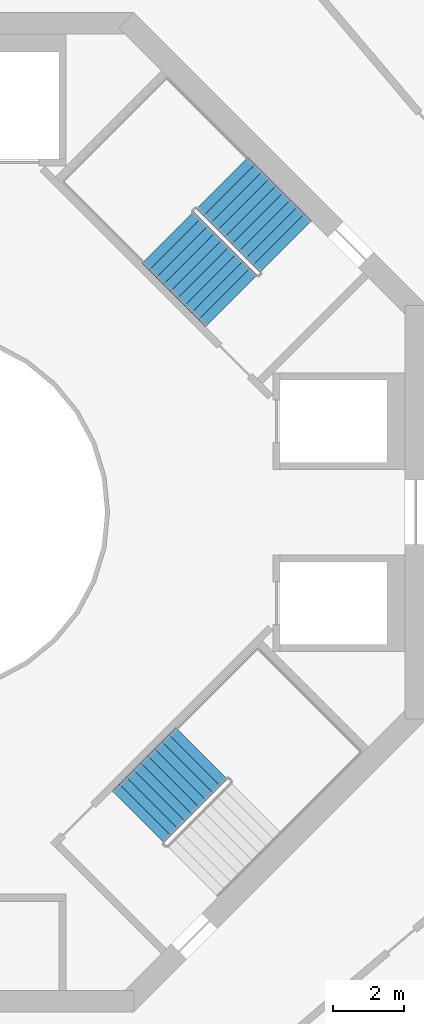
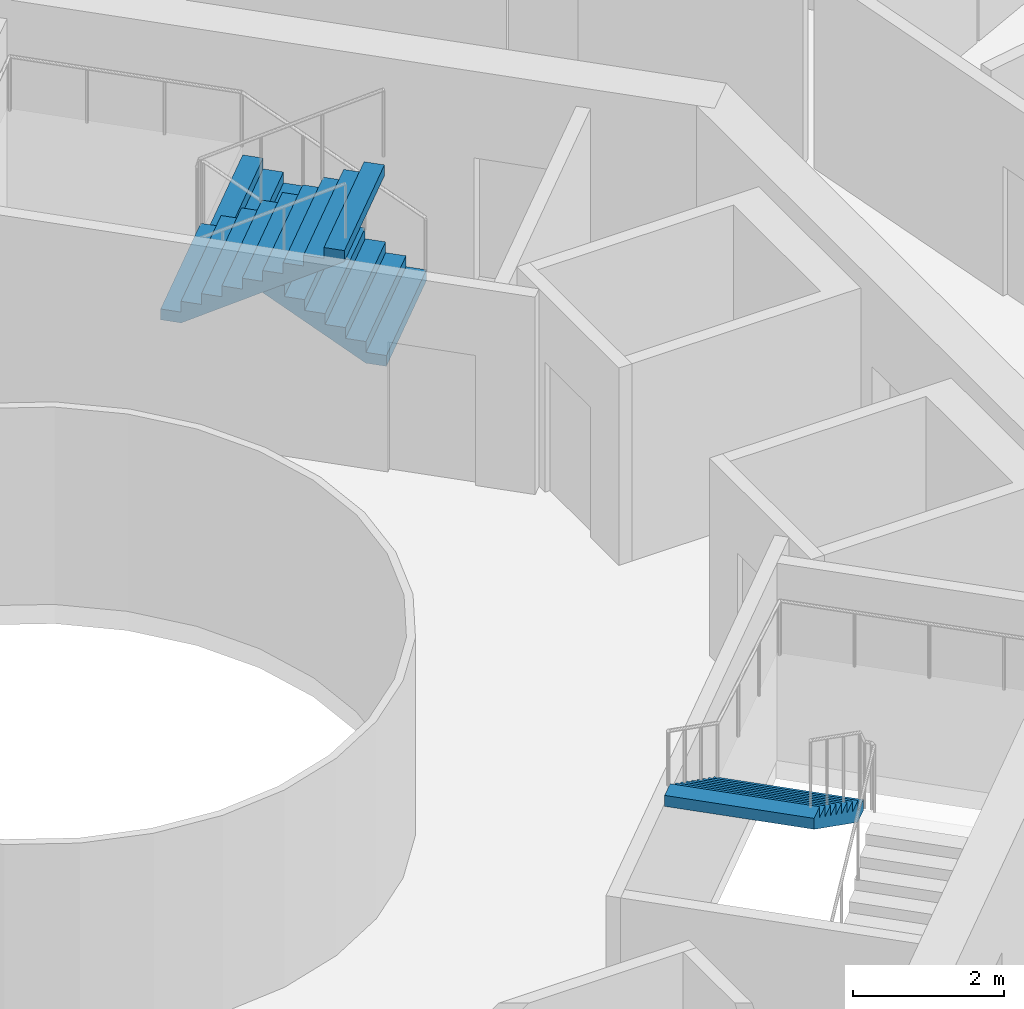
# One storey, part 20 of 21: 3 stair flights, 2 elements without a shape of their own.
"""IFC4 building model written with IfcOpenShell, lengths in metres."""

from ifc_helpers import new_model, si_unit, direction, frame, origin, place, context, subcontext, project, spatial, triangles, material, type_object, element, aggregate, save


model = new_model("IFC4")

# Units and contexts
model_context = context("Model", 3, precision=1e-05, world=origin(), true_north=direction((0.0, 1.0)))
body_context = subcontext(model_context, "Body", "Model", "MODEL_VIEW")
ifc_project = project(units=[si_unit("LENGTHUNIT", "METRE"), si_unit("AREAUNIT", "SQUARE_METRE"), si_unit("VOLUMEUNIT", "CUBIC_METRE"), si_unit("PLANEANGLEUNIT", "RADIAN"), si_unit("MASSUNIT", "GRAM", prefix="KILO")], contexts=[model_context])

# Site, building, storey
site_placement = place(None, origin())
site = spatial("IfcSite", under=ifc_project, at=site_placement, CompositionType="ELEMENT")
building_placement = place(site_placement, origin())
building = spatial("IfcBuilding", under=site, at=building_placement, Name="Verdalira Terraces Hotel", CompositionType="ELEMENT")
storey_placement = place(building_placement, frame((0.0, 0.0, 197.5)))
storey = spatial("IfcBuildingStorey", under=building, at=storey_placement, Name="L48", CompositionType="ELEMENT", Elevation=197.5)

# Stair, stair flights
ifc_material_1 = material(Name="Concrete C40", Category="concrete")
stair_type = type_object("IfcStairType", Name="Core stair 20 risers 2050 mm wide", PredefinedType="HALF_TURN_STAIR", material=ifc_material_1)
stair_1_placement = place(storey_placement, origin())
stair_1 = element("IfcStair", 1, at=stair_1_placement, inside=storey, type_object=stair_type, Name="L48 Exit stair ST1", PredefinedType="HALF_TURN_STAIR")
ifc_material_2 = material(Name="Concrete C40", Category="concrete")
stair_flight_type = type_object("IfcStairFlightType", Name="Core stair flight 20 risers 2050 mm wide", PredefinedType="STRAIGHT", material=ifc_material_2)
stair_flight_1_placement = place(storey_placement, frame((10.058594, 7.442383, 0.0), z_axis=(0.0, 0.0, 1.0), x_axis=(-0.707106781, 0.707106781, 0.0)))
stair_flight_1 = element("IfcStairFlight", 2, at=stair_flight_1_placement, type_object=stair_flight_type, Name="ST1 flight 1", NumberOfRisers=10, NumberOfTreads=9, PredefinedType="STRAIGHT", RiserHeight=0.175, TreadLength=0.28, context=body_context, shape_type="Tessellation", body=[
    triangles([(0.0, 1.025024, 0.0), (0.282715, 1.025024, 0.0), (2.52002, 1.025024, 1.398193), (0.0, -1.025024, 0.0), (0.282715, -1.025024, 0.0), (2.52002, -1.025024, 1.398193), (2.52002, 1.025024, 1.574951), (2.23999, 1.025024, 1.574951), (2.52002, -1.025024, 1.574951), (2.23999, -1.025024, 1.574951), (2.23999, 1.025024, 1.399902), (2.23999, -1.025024, 1.399902), (1.959961, 1.025024, 1.399902), (1.959961, -1.025024, 1.399902), (1.959961, 1.025024, 1.225098), (1.959961, -1.025024, 1.225098), (1.679932, 1.025024, 1.225098), (1.679932, 1.025024, 1.050049), (1.679932, -1.025024, 1.225098), (1.679932, -1.025024, 1.050049), (1.399902, 1.025024, 1.050049), (1.399902, 1.025024, 0.875), (1.399902, -1.025024, 1.050049), (1.399902, -1.025024, 0.875), (1.120117, 1.025024, 0.875), (1.120117, 1.025024, 0.699951), (1.120117, -1.025024, 0.875), (1.120117, -1.025024, 0.699951), (0.840088, 1.025024, 0.699951), (0.840088, 1.025024, 0.524902), (0.840088, -1.025024, 0.699951), (0.840088, -1.025024, 0.524902), (0.560059, 1.025024, 0.524902), (0.560059, 1.025024, 0.350098), (0.560059, -1.025024, 0.524902), (0.560059, -1.025024, 0.350098), (0.280029, 1.025024, 0.350098), (0.280029, 1.025024, 0.175049), (0.280029, -1.025024, 0.350098), (0.280029, -1.025024, 0.175049), (0.0, 1.025024, 0.175049), (0.0, -1.025024, 0.175049), (0.0, -0.96096, 0.0), (0.0, -0.96096, 0.175049), (0.0, -0.896896, 0.0), (0.0, -0.896896, 0.175049), (0.0, -0.832832, 0.0), (0.0, -0.832832, 0.175049), (0.0, -0.768768, 0.0), (0.0, -0.768768, 0.175049), (0.0, -0.704704, 0.0), (0.0, -0.704704, 0.175049), (0.0, -0.64064, 0.0), (0.0, -0.64064, 0.175049), (0.0, -0.576576, 0.0), (0.0, -0.576576, 0.175049), (0.0, -0.512512, 0.0), (0.0, -0.512512, 0.175049), (0.0, -0.448448, 0.0), (0.0, -0.448448, 0.175049), (0.0, -0.384384, 0.0), (0.0, -0.384384, 0.175049), (0.0, -0.32032, 0.0), (0.0, -0.32032, 0.175049), (0.0, -0.256256, 0.0), (0.0, -0.256256, 0.175049), (0.0, -0.192192, 0.0), (0.0, -0.192192, 0.175049), (0.0, -0.128128, 0.0), (0.0, -0.128128, 0.175049), (0.0, -0.064064, 0.0), (0.0, -0.064064, 0.175049), (0.0, 0.0, 0.0), (0.0, 0.0, 0.175049), (0.0, 0.064064, 0.0), (0.0, 0.064064, 0.175049), (0.0, 0.128128, 0.0), (0.0, 0.128128, 0.175049), (0.0, 0.192192, 0.0), (0.0, 0.192192, 0.175049), (0.0, 0.256256, 0.0), (0.0, 0.256256, 0.175049), (0.0, 0.32032, 0.0), (0.0, 0.32032, 0.175049), (0.0, 0.384384, 0.0), (0.0, 0.384384, 0.175049), (0.0, 0.448448, 0.0), (0.0, 0.448448, 0.175049), (0.0, 0.512512, 0.0), (0.0, 0.512512, 0.175049), (0.0, 0.576576, 0.0), (0.0, 0.576576, 0.175049), (0.0, 0.64064, 0.0), (0.0, 0.64064, 0.175049), (0.0, 0.704704, 0.0), (0.0, 0.704704, 0.175049), (0.0, 0.768768, 0.0), (0.0, 0.768768, 0.175049), (0.0, 0.832832, 0.0), (0.0, 0.832832, 0.175049), (0.0, 0.896896, 0.0), (0.0, 0.896896, 0.175049), (0.0, 0.96096, 0.0), (0.0, 0.96096, 0.175049), (2.52002, -0.96096, 1.574951), (2.52002, -0.896896, 1.574951), (2.52002, -0.832832, 1.574951), (2.52002, -0.768768, 1.574951), (2.52002, -0.704704, 1.574951), (2.52002, -0.64064, 1.574951), (2.52002, -0.576576, 1.574951), (2.52002, -0.512512, 1.574951), (2.52002, -0.448448, 1.574951), (2.52002, -0.384384, 1.574951), (2.52002, -0.32032, 1.574951), (2.52002, -0.256256, 1.574951), (2.52002, -0.192192, 1.574951), (2.52002, -0.128128, 1.574951), (2.52002, -0.064064, 1.574951), (2.52002, 0.0, 1.574951), (2.52002, 0.064064, 1.574951), (2.52002, 0.128128, 1.574951), (2.52002, 0.192192, 1.574951), (2.52002, 0.256256, 1.574951), (2.52002, 0.32032, 1.574951), (2.52002, 0.384384, 1.574951), (2.52002, 0.448448, 1.574951), (2.52002, 0.512512, 1.574951), (2.52002, 0.576576, 1.574951), (2.52002, 0.64064, 1.574951), (2.52002, 0.704704, 1.574951), (2.52002, 0.768768, 1.574951), (2.52002, 0.832832, 1.574951), (2.52002, 0.896896, 1.574951), (2.52002, 0.96096, 1.574951), (2.52002, -0.96096, 1.398193), (2.52002, -0.896896, 1.398193), (2.52002, -0.832832, 1.398193), (2.52002, -0.768768, 1.398193), (2.52002, -0.704704, 1.398193), (2.52002, -0.64064, 1.398193), (2.52002, -0.576576, 1.398193), (2.52002, -0.512512, 1.398193), (2.52002, -0.448448, 1.398193), (2.52002, -0.384384, 1.398193), (2.52002, -0.32032, 1.398193), (2.52002, -0.256256, 1.398193), (2.52002, -0.192192, 1.398193), (2.52002, -0.128128, 1.398193), (2.52002, -0.064064, 1.398193), (2.52002, 0.0, 1.398193), (2.52002, 0.064064, 1.398193), (2.52002, 0.128128, 1.398193), (2.52002, 0.192192, 1.398193), (2.52002, 0.256256, 1.398193), (2.52002, 0.32032, 1.398193), (2.52002, 0.384384, 1.398193), (2.52002, 0.448448, 1.398193), (2.52002, 0.512512, 1.398193), (2.52002, 0.576576, 1.398193), (2.52002, 0.64064, 1.398193), (2.52002, 0.704704, 1.398193), (2.52002, 0.768768, 1.398193), (2.52002, 0.832832, 1.398193), (2.52002, 0.896896, 1.398193), (2.52002, 0.96096, 1.398193)], [[1, 3, 2], [4, 5, 6], [3, 8, 7], [6, 9, 10], [3, 11, 8], [6, 10, 12], [3, 13, 11], [6, 12, 14], [3, 15, 13], [6, 14, 16], [15, 18, 17], [16, 19, 20], [3, 18, 15], [6, 16, 20], [18, 22, 21], [20, 23, 24], [3, 22, 18], [6, 20, 24], [22, 26, 25], [24, 27, 28], [3, 26, 22], [6, 24, 28], [26, 30, 29], [28, 31, 32], [3, 30, 26], [6, 28, 32], [1, 30, 3], [4, 6, 32], [30, 34, 33], [32, 35, 36], [34, 38, 37], [36, 39, 40], [30, 38, 34], [32, 36, 40], [1, 38, 30], [4, 32, 40], [38, 1, 41], [40, 42, 4], [4, 44, 43], [4, 42, 44], [43, 46, 45], [43, 44, 46], [45, 48, 47], [45, 46, 48], [47, 50, 49], [47, 48, 50], [49, 52, 51], [49, 50, 52], [51, 54, 53], [51, 52, 54], [53, 56, 55], [53, 54, 56], [55, 58, 57], [55, 56, 58], [57, 60, 59], [57, 58, 60], [59, 62, 61], [59, 60, 62], [61, 64, 63], [61, 62, 64], [63, 66, 65], [63, 64, 66], [65, 68, 67], [65, 66, 68], [67, 70, 69], [67, 68, 70], [69, 72, 71], [69, 70, 72], [71, 74, 73], [71, 72, 74], [73, 76, 75], [73, 74, 76], [75, 78, 77], [75, 76, 78], [77, 80, 79], [77, 78, 80], [79, 82, 81], [79, 80, 82], [81, 84, 83], [81, 82, 84], [83, 86, 85], [83, 84, 86], [85, 88, 87], [85, 86, 88], [87, 90, 89], [87, 88, 90], [89, 92, 91], [89, 90, 92], [91, 94, 93], [91, 92, 94], [93, 96, 95], [93, 94, 96], [95, 98, 97], [95, 96, 98], [97, 100, 99], [97, 98, 100], [99, 102, 101], [99, 100, 102], [101, 104, 103], [101, 102, 104], [103, 41, 1], [103, 104, 41], [42, 40, 44], [44, 40, 46], [46, 40, 48], [48, 40, 50], [50, 40, 52], [52, 40, 54], [54, 40, 56], [56, 40, 58], [58, 40, 60], [60, 40, 62], [62, 40, 64], [64, 40, 66], [66, 40, 68], [68, 40, 70], [70, 40, 72], [72, 40, 74], [74, 40, 76], [76, 40, 78], [78, 40, 80], [80, 40, 82], [82, 40, 84], [84, 40, 86], [86, 40, 88], [88, 40, 90], [90, 40, 92], [92, 40, 94], [94, 40, 96], [96, 40, 98], [98, 40, 100], [100, 40, 102], [102, 40, 104], [104, 40, 41], [41, 40, 38], [40, 37, 38], [40, 39, 37], [39, 34, 37], [39, 36, 34], [36, 33, 34], [36, 35, 33], [35, 30, 33], [35, 32, 30], [32, 29, 30], [32, 31, 29], [31, 26, 29], [31, 28, 26], [28, 25, 26], [28, 27, 25], [27, 22, 25], [27, 24, 22], [24, 21, 22], [24, 23, 21], [23, 18, 21], [23, 20, 18], [20, 17, 18], [20, 19, 17], [19, 15, 17], [19, 16, 15], [16, 13, 15], [16, 14, 13], [14, 11, 13], [14, 12, 11], [12, 8, 11], [12, 10, 8], [9, 105, 10], [105, 106, 10], [106, 107, 10], [107, 108, 10], [108, 109, 10], [109, 110, 10], [110, 111, 10], [111, 112, 10], [112, 113, 10], [113, 114, 10], [114, 115, 10], [115, 116, 10], [116, 117, 10], [117, 118, 10], [118, 119, 10], [119, 120, 10], [120, 121, 10], [121, 122, 10], [122, 123, 10], [123, 124, 10], [124, 125, 10], [125, 126, 10], [126, 127, 10], [127, 128, 10], [128, 129, 10], [129, 130, 10], [130, 131, 10], [131, 132, 10], [132, 133, 10], [133, 134, 10], [134, 135, 10], [135, 7, 10], [7, 8, 10], [9, 136, 105], [9, 6, 136], [105, 137, 106], [105, 136, 137], [106, 138, 107], [106, 137, 138], [107, 139, 108], [107, 138, 139], [108, 140, 109], [108, 139, 140], [109, 141, 110], [109, 140, 141], [110, 142, 111], [110, 141, 142], [111, 143, 112], [111, 142, 143], [112, 144, 113], [112, 143, 144], [113, 145, 114], [113, 144, 145], [114, 146, 115], [114, 145, 146], [115, 147, 116], [115, 146, 147], [116, 148, 117], [116, 147, 148], [117, 149, 118], [117, 148, 149], [118, 150, 119], [118, 149, 150], [119, 151, 120], [119, 150, 151], [120, 152, 121], [120, 151, 152], [121, 153, 122], [121, 152, 153], [122, 154, 123], [122, 153, 154], [123, 155, 124], [123, 154, 155], [124, 156, 125], [124, 155, 156], [125, 157, 126], [125, 156, 157], [126, 158, 127], [126, 157, 158], [127, 159, 128], [127, 158, 159], [128, 160, 129], [128, 159, 160], [129, 161, 130], [129, 160, 161], [130, 162, 131], [130, 161, 162], [131, 163, 132], [131, 162, 163], [132, 164, 133], [132, 163, 164], [133, 165, 134], [133, 164, 165], [134, 166, 135], [134, 165, 166], [135, 3, 7], [135, 166, 3], [6, 5, 136], [136, 5, 137], [137, 5, 138], [138, 5, 139], [139, 5, 140], [140, 5, 141], [141, 5, 142], [142, 5, 143], [143, 5, 144], [144, 5, 145], [145, 5, 146], [146, 5, 147], [147, 5, 148], [148, 5, 149], [149, 5, 150], [150, 5, 151], [151, 5, 152], [152, 5, 153], [153, 5, 154], [154, 5, 155], [155, 5, 156], [156, 5, 157], [157, 5, 158], [158, 5, 159], [159, 5, 160], [160, 5, 161], [161, 5, 162], [162, 5, 163], [163, 5, 164], [164, 5, 165], [165, 5, 166], [166, 5, 3], [3, 5, 2], [4, 43, 5], [43, 45, 5], [45, 47, 5], [47, 49, 5], [49, 51, 5], [51, 53, 5], [53, 55, 5], [55, 57, 5], [57, 59, 5], [59, 61, 5], [61, 63, 5], [63, 65, 5], [65, 67, 5], [67, 69, 5], [69, 71, 5], [71, 73, 5], [73, 75, 5], [75, 77, 5], [77, 79, 5], [79, 81, 5], [81, 83, 5], [83, 85, 5], [85, 87, 5], [87, 89, 5], [89, 91, 5], [91, 93, 5], [93, 95, 5], [95, 97, 5], [97, 99, 5], [99, 101, 5], [101, 103, 5], [103, 1, 5], [1, 2, 5]], closed=True),
])
stair_flight_2_placement = place(storey_placement, frame((6.756348, 7.703857, 1.75), z_axis=(0.0, 0.0, 1.0), x_axis=(0.707106781, -0.707106781, 0.0)))
stair_flight_2 = element("IfcStairFlight", 3, at=stair_flight_2_placement, type_object=stair_flight_type, Name="ST1 flight 2", NumberOfRisers=10, NumberOfTreads=9, PredefinedType="STRAIGHT", RiserHeight=0.175, TreadLength=0.28, context=body_context, shape_type="Tessellation", body=[
    triangles([(0.0, 1.025024, 0.0), (0.282715, 1.025024, 0.0), (2.52002, 1.025024, 1.398193), (0.0, -1.025024, 0.0), (0.282715, -1.025024, 0.0), (2.52002, -1.025024, 1.398193), (2.52002, 1.025024, 1.574951), (2.23999, 1.025024, 1.574951), (2.52002, -1.025024, 1.574951), (2.23999, -1.025024, 1.574951), (2.23999, 1.025024, 1.399902), (2.23999, -1.025024, 1.399902), (1.959961, 1.025024, 1.399902), (1.959961, -1.025024, 1.399902), (1.959961, 1.025024, 1.225098), (1.959961, -1.025024, 1.225098), (1.679932, 1.025024, 1.225098), (1.679932, 1.025024, 1.050049), (1.679932, -1.025024, 1.225098), (1.679932, -1.025024, 1.050049), (1.399902, 1.025024, 1.050049), (1.399902, 1.025024, 0.875), (1.399902, -1.025024, 1.050049), (1.399902, -1.025024, 0.875), (1.120117, 1.025024, 0.875), (1.120117, 1.025024, 0.699951), (1.120117, -1.025024, 0.875), (1.120117, -1.025024, 0.699951), (0.840088, 1.025024, 0.699951), (0.840088, 1.025024, 0.524902), (0.840088, -1.025024, 0.699951), (0.840088, -1.025024, 0.524902), (0.560059, 1.025024, 0.524902), (0.560059, 1.025024, 0.350098), (0.560059, -1.025024, 0.524902), (0.560059, -1.025024, 0.350098), (0.280029, 1.025024, 0.350098), (0.280029, 1.025024, 0.175049), (0.280029, -1.025024, 0.350098), (0.280029, -1.025024, 0.175049), (0.0, 1.025024, 0.175049), (0.0, -1.025024, 0.175049), (0.0, -0.96096, 0.0), (0.0, -0.96096, 0.175049), (0.0, -0.896896, 0.0), (0.0, -0.896896, 0.175049), (0.0, -0.832832, 0.0), (0.0, -0.832832, 0.175049), (0.0, -0.768768, 0.0), (0.0, -0.768768, 0.175049), (0.0, -0.704704, 0.0), (0.0, -0.704704, 0.175049), (0.0, -0.64064, 0.0), (0.0, -0.64064, 0.175049), (0.0, -0.576576, 0.0), (0.0, -0.576576, 0.175049), (0.0, -0.512512, 0.0), (0.0, -0.512512, 0.175049), (0.0, -0.448448, 0.0), (0.0, -0.448448, 0.175049), (0.0, -0.384384, 0.0), (0.0, -0.384384, 0.175049), (0.0, -0.32032, 0.0), (0.0, -0.32032, 0.175049), (0.0, -0.256256, 0.0), (0.0, -0.256256, 0.175049), (0.0, -0.192192, 0.0), (0.0, -0.192192, 0.175049), (0.0, -0.128128, 0.0), (0.0, -0.128128, 0.175049), (0.0, -0.064064, 0.0), (0.0, -0.064064, 0.175049), (0.0, 0.0, 0.0), (0.0, 0.0, 0.175049), (0.0, 0.064064, 0.0), (0.0, 0.064064, 0.175049), (0.0, 0.128128, 0.0), (0.0, 0.128128, 0.175049), (0.0, 0.192192, 0.0), (0.0, 0.192192, 0.175049), (0.0, 0.256256, 0.0), (0.0, 0.256256, 0.175049), (0.0, 0.32032, 0.0), (0.0, 0.32032, 0.175049), (0.0, 0.384384, 0.0), (0.0, 0.384384, 0.175049), (0.0, 0.448448, 0.0), (0.0, 0.448448, 0.175049), (0.0, 0.512512, 0.0), (0.0, 0.512512, 0.175049), (0.0, 0.576576, 0.0), (0.0, 0.576576, 0.175049), (0.0, 0.64064, 0.0), (0.0, 0.64064, 0.175049), (0.0, 0.704704, 0.0), (0.0, 0.704704, 0.175049), (0.0, 0.768768, 0.0), (0.0, 0.768768, 0.175049), (0.0, 0.832832, 0.0), (0.0, 0.832832, 0.175049), (0.0, 0.896896, 0.0), (0.0, 0.896896, 0.175049), (0.0, 0.96096, 0.0), (0.0, 0.96096, 0.175049), (2.52002, -0.96096, 1.574951), (2.52002, -0.896896, 1.574951), (2.52002, -0.832832, 1.574951), (2.52002, -0.768768, 1.574951), (2.52002, -0.704704, 1.574951), (2.52002, -0.64064, 1.574951), (2.52002, -0.576576, 1.574951), (2.52002, -0.512512, 1.574951), (2.52002, -0.448448, 1.574951), (2.52002, -0.384384, 1.574951), (2.52002, -0.32032, 1.574951), (2.52002, -0.256256, 1.574951), (2.52002, -0.192192, 1.574951), (2.52002, -0.128128, 1.574951), (2.52002, -0.064064, 1.574951), (2.52002, 0.0, 1.574951), (2.52002, 0.064064, 1.574951), (2.52002, 0.128128, 1.574951), (2.52002, 0.192192, 1.574951), (2.52002, 0.256256, 1.574951), (2.52002, 0.32032, 1.574951), (2.52002, 0.384384, 1.574951), (2.52002, 0.448448, 1.574951), (2.52002, 0.512512, 1.574951), (2.52002, 0.576576, 1.574951), (2.52002, 0.64064, 1.574951), (2.52002, 0.704704, 1.574951), (2.52002, 0.768768, 1.574951), (2.52002, 0.832832, 1.574951), (2.52002, 0.896896, 1.574951), (2.52002, 0.96096, 1.574951), (2.52002, -0.96096, 1.398193), (2.52002, -0.896896, 1.398193), (2.52002, -0.832832, 1.398193), (2.52002, -0.768768, 1.398193), (2.52002, -0.704704, 1.398193), (2.52002, -0.64064, 1.398193), (2.52002, -0.576576, 1.398193), (2.52002, -0.512512, 1.398193), (2.52002, -0.448448, 1.398193), (2.52002, -0.384384, 1.398193), (2.52002, -0.32032, 1.398193), (2.52002, -0.256256, 1.398193), (2.52002, -0.192192, 1.398193), (2.52002, -0.128128, 1.398193), (2.52002, -0.064064, 1.398193), (2.52002, 0.0, 1.398193), (2.52002, 0.064064, 1.398193), (2.52002, 0.128128, 1.398193), (2.52002, 0.192192, 1.398193), (2.52002, 0.256256, 1.398193), (2.52002, 0.32032, 1.398193), (2.52002, 0.384384, 1.398193), (2.52002, 0.448448, 1.398193), (2.52002, 0.512512, 1.398193), (2.52002, 0.576576, 1.398193), (2.52002, 0.64064, 1.398193), (2.52002, 0.704704, 1.398193), (2.52002, 0.768768, 1.398193), (2.52002, 0.832832, 1.398193), (2.52002, 0.896896, 1.398193), (2.52002, 0.96096, 1.398193)], [[1, 3, 2], [4, 5, 6], [3, 8, 7], [6, 9, 10], [3, 11, 8], [6, 10, 12], [3, 13, 11], [6, 12, 14], [3, 15, 13], [6, 14, 16], [15, 18, 17], [16, 19, 20], [3, 18, 15], [6, 16, 20], [18, 22, 21], [20, 23, 24], [3, 22, 18], [6, 20, 24], [22, 26, 25], [24, 27, 28], [3, 26, 22], [6, 24, 28], [26, 30, 29], [28, 31, 32], [3, 30, 26], [6, 28, 32], [1, 30, 3], [4, 6, 32], [30, 34, 33], [32, 35, 36], [34, 38, 37], [36, 39, 40], [30, 38, 34], [32, 36, 40], [1, 38, 30], [4, 32, 40], [38, 1, 41], [40, 42, 4], [4, 44, 43], [4, 42, 44], [43, 46, 45], [43, 44, 46], [45, 48, 47], [45, 46, 48], [47, 50, 49], [47, 48, 50], [49, 52, 51], [49, 50, 52], [51, 54, 53], [51, 52, 54], [53, 56, 55], [53, 54, 56], [55, 58, 57], [55, 56, 58], [57, 60, 59], [57, 58, 60], [59, 62, 61], [59, 60, 62], [61, 64, 63], [61, 62, 64], [63, 66, 65], [63, 64, 66], [65, 68, 67], [65, 66, 68], [67, 70, 69], [67, 68, 70], [69, 72, 71], [69, 70, 72], [71, 74, 73], [71, 72, 74], [73, 76, 75], [73, 74, 76], [75, 78, 77], [75, 76, 78], [77, 80, 79], [77, 78, 80], [79, 82, 81], [79, 80, 82], [81, 84, 83], [81, 82, 84], [83, 86, 85], [83, 84, 86], [85, 88, 87], [85, 86, 88], [87, 90, 89], [87, 88, 90], [89, 92, 91], [89, 90, 92], [91, 94, 93], [91, 92, 94], [93, 96, 95], [93, 94, 96], [95, 98, 97], [95, 96, 98], [97, 100, 99], [97, 98, 100], [99, 102, 101], [99, 100, 102], [101, 104, 103], [101, 102, 104], [103, 41, 1], [103, 104, 41], [42, 40, 44], [44, 40, 46], [46, 40, 48], [48, 40, 50], [50, 40, 52], [52, 40, 54], [54, 40, 56], [56, 40, 58], [58, 40, 60], [60, 40, 62], [62, 40, 64], [64, 40, 66], [66, 40, 68], [68, 40, 70], [70, 40, 72], [72, 40, 74], [74, 40, 76], [76, 40, 78], [78, 40, 80], [80, 40, 82], [82, 40, 84], [84, 40, 86], [86, 40, 88], [88, 40, 90], [90, 40, 92], [92, 40, 94], [94, 40, 96], [96, 40, 98], [98, 40, 100], [100, 40, 102], [102, 40, 104], [104, 40, 41], [41, 40, 38], [40, 37, 38], [40, 39, 37], [39, 34, 37], [39, 36, 34], [36, 33, 34], [36, 35, 33], [35, 30, 33], [35, 32, 30], [32, 29, 30], [32, 31, 29], [31, 26, 29], [31, 28, 26], [28, 25, 26], [28, 27, 25], [27, 22, 25], [27, 24, 22], [24, 21, 22], [24, 23, 21], [23, 18, 21], [23, 20, 18], [20, 17, 18], [20, 19, 17], [19, 15, 17], [19, 16, 15], [16, 13, 15], [16, 14, 13], [14, 11, 13], [14, 12, 11], [12, 8, 11], [12, 10, 8], [9, 105, 10], [105, 106, 10], [106, 107, 10], [107, 108, 10], [108, 109, 10], [109, 110, 10], [110, 111, 10], [111, 112, 10], [112, 113, 10], [113, 114, 10], [114, 115, 10], [115, 116, 10], [116, 117, 10], [117, 118, 10], [118, 119, 10], [119, 120, 10], [120, 121, 10], [121, 122, 10], [122, 123, 10], [123, 124, 10], [124, 125, 10], [125, 126, 10], [126, 127, 10], [127, 128, 10], [128, 129, 10], [129, 130, 10], [130, 131, 10], [131, 132, 10], [132, 133, 10], [133, 134, 10], [134, 135, 10], [135, 7, 10], [7, 8, 10], [9, 136, 105], [9, 6, 136], [105, 137, 106], [105, 136, 137], [106, 138, 107], [106, 137, 138], [107, 139, 108], [107, 138, 139], [108, 140, 109], [108, 139, 140], [109, 141, 110], [109, 140, 141], [110, 142, 111], [110, 141, 142], [111, 143, 112], [111, 142, 143], [112, 144, 113], [112, 143, 144], [113, 145, 114], [113, 144, 145], [114, 146, 115], [114, 145, 146], [115, 147, 116], [115, 146, 147], [116, 148, 117], [116, 147, 148], [117, 149, 118], [117, 148, 149], [118, 150, 119], [118, 149, 150], [119, 151, 120], [119, 150, 151], [120, 152, 121], [120, 151, 152], [121, 153, 122], [121, 152, 153], [122, 154, 123], [122, 153, 154], [123, 155, 124], [123, 154, 155], [124, 156, 125], [124, 155, 156], [125, 157, 126], [125, 156, 157], [126, 158, 127], [126, 157, 158], [127, 159, 128], [127, 158, 159], [128, 160, 129], [128, 159, 160], [129, 161, 130], [129, 160, 161], [130, 162, 131], [130, 161, 162], [131, 163, 132], [131, 162, 163], [132, 164, 133], [132, 163, 164], [133, 165, 134], [133, 164, 165], [134, 166, 135], [134, 165, 166], [135, 3, 7], [135, 166, 3], [6, 5, 136], [136, 5, 137], [137, 5, 138], [138, 5, 139], [139, 5, 140], [140, 5, 141], [141, 5, 142], [142, 5, 143], [143, 5, 144], [144, 5, 145], [145, 5, 146], [146, 5, 147], [147, 5, 148], [148, 5, 149], [149, 5, 150], [150, 5, 151], [151, 5, 152], [152, 5, 153], [153, 5, 154], [154, 5, 155], [155, 5, 156], [156, 5, 157], [157, 5, 158], [158, 5, 159], [159, 5, 160], [160, 5, 161], [161, 5, 162], [162, 5, 163], [163, 5, 164], [164, 5, 165], [165, 5, 166], [166, 5, 3], [3, 5, 2], [4, 43, 5], [43, 45, 5], [45, 47, 5], [47, 49, 5], [49, 51, 5], [51, 53, 5], [53, 55, 5], [55, 57, 5], [57, 59, 5], [59, 61, 5], [61, 63, 5], [63, 65, 5], [65, 67, 5], [67, 69, 5], [69, 71, 5], [71, 73, 5], [73, 75, 5], [75, 77, 5], [77, 79, 5], [79, 81, 5], [81, 83, 5], [83, 85, 5], [85, 87, 5], [87, 89, 5], [89, 91, 5], [91, 93, 5], [93, 95, 5], [95, 97, 5], [97, 99, 5], [99, 101, 5], [101, 103, 5], [103, 1, 5], [1, 2, 5]], closed=True),
])
aggregate(stair_1, [stair_flight_1, stair_flight_2])

# Stair, stair flight
stair_2_placement = place(storey_placement, origin())
stair_2 = element("IfcStair", 4, at=stair_2_placement, inside=storey, type_object=stair_type, Name="L48 Exit stair ST3", PredefinedType="HALF_TURN_STAIR")
stair_flight_3_placement = place(storey_placement, frame((7.703857, -6.756348, 1.75), z_axis=(0.0, 0.0, 1.0), x_axis=(-0.707106781, -0.707106781, 0.0)))
stair_flight_3 = element("IfcStairFlight", 5, at=stair_flight_3_placement, type_object=stair_flight_type, Name="ST3 flight 2", NumberOfRisers=10, NumberOfTreads=9, PredefinedType="STRAIGHT", RiserHeight=0.175, TreadLength=0.28, context=body_context, shape_type="Tessellation", body=[
    triangles([(0.0, 1.025024, 0.0), (0.282715, 1.025024, 0.0), (2.52002, 1.025024, 1.398193), (0.0, -1.025024, 0.0), (0.282715, -1.025024, 0.0), (2.52002, -1.025024, 1.398193), (2.52002, 1.025024, 1.574951), (2.23999, 1.025024, 1.574951), (2.52002, -1.025024, 1.574951), (2.23999, -1.025024, 1.574951), (2.23999, 1.025024, 1.399902), (2.23999, -1.025024, 1.399902), (1.959961, 1.025024, 1.399902), (1.959961, -1.025024, 1.399902), (1.959961, 1.025024, 1.225098), (1.959961, -1.025024, 1.225098), (1.679932, 1.025024, 1.225098), (1.679932, 1.025024, 1.050049), (1.679932, -1.025024, 1.225098), (1.679932, -1.025024, 1.050049), (1.399902, 1.025024, 1.050049), (1.399902, 1.025024, 0.875), (1.399902, -1.025024, 1.050049), (1.399902, -1.025024, 0.875), (1.120117, 1.025024, 0.875), (1.120117, 1.025024, 0.699951), (1.120117, -1.025024, 0.875), (1.120117, -1.025024, 0.699951), (0.840088, 1.025024, 0.699951), (0.840088, 1.025024, 0.524902), (0.840088, -1.025024, 0.699951), (0.840088, -1.025024, 0.524902), (0.560059, 1.025024, 0.524902), (0.560059, 1.025024, 0.350098), (0.560059, -1.025024, 0.524902), (0.560059, -1.025024, 0.350098), (0.280029, 1.025024, 0.350098), (0.280029, 1.025024, 0.175049), (0.280029, -1.025024, 0.350098), (0.280029, -1.025024, 0.175049), (0.0, 1.025024, 0.175049), (0.0, -1.025024, 0.175049), (0.0, -0.96096, 0.0), (0.0, -0.96096, 0.175049), (0.0, -0.896896, 0.0), (0.0, -0.896896, 0.175049), (0.0, -0.832832, 0.0), (0.0, -0.832832, 0.175049), (0.0, -0.768768, 0.0), (0.0, -0.768768, 0.175049), (0.0, -0.704704, 0.0), (0.0, -0.704704, 0.175049), (0.0, -0.64064, 0.0), (0.0, -0.64064, 0.175049), (0.0, -0.576576, 0.0), (0.0, -0.576576, 0.175049), (0.0, -0.512512, 0.0), (0.0, -0.512512, 0.175049), (0.0, -0.448448, 0.0), (0.0, -0.448448, 0.175049), (0.0, -0.384384, 0.0), (0.0, -0.384384, 0.175049), (0.0, -0.32032, 0.0), (0.0, -0.32032, 0.175049), (0.0, -0.256256, 0.0), (0.0, -0.256256, 0.175049), (0.0, -0.192192, 0.0), (0.0, -0.192192, 0.175049), (0.0, -0.128128, 0.0), (0.0, -0.128128, 0.175049), (0.0, -0.064064, 0.0), (0.0, -0.064064, 0.175049), (0.0, 0.0, 0.0), (0.0, 0.0, 0.175049), (0.0, 0.064064, 0.0), (0.0, 0.064064, 0.175049), (0.0, 0.128128, 0.0), (0.0, 0.128128, 0.175049), (0.0, 0.192192, 0.0), (0.0, 0.192192, 0.175049), (0.0, 0.256256, 0.0), (0.0, 0.256256, 0.175049), (0.0, 0.32032, 0.0), (0.0, 0.32032, 0.175049), (0.0, 0.384384, 0.0), (0.0, 0.384384, 0.175049), (0.0, 0.448448, 0.0), (0.0, 0.448448, 0.175049), (0.0, 0.512512, 0.0), (0.0, 0.512512, 0.175049), (0.0, 0.576576, 0.0), (0.0, 0.576576, 0.175049), (0.0, 0.64064, 0.0), (0.0, 0.64064, 0.175049), (0.0, 0.704704, 0.0), (0.0, 0.704704, 0.175049), (0.0, 0.768768, 0.0), (0.0, 0.768768, 0.175049), (0.0, 0.832832, 0.0), (0.0, 0.832832, 0.175049), (0.0, 0.896896, 0.0), (0.0, 0.896896, 0.175049), (0.0, 0.96096, 0.0), (0.0, 0.96096, 0.175049), (2.52002, -0.96096, 1.574951), (2.52002, -0.896896, 1.574951), (2.52002, -0.832832, 1.574951), (2.52002, -0.768768, 1.574951), (2.52002, -0.704704, 1.574951), (2.52002, -0.64064, 1.574951), (2.52002, -0.576576, 1.574951), (2.52002, -0.512512, 1.574951), (2.52002, -0.448448, 1.574951), (2.52002, -0.384384, 1.574951), (2.52002, -0.32032, 1.574951), (2.52002, -0.256256, 1.574951), (2.52002, -0.192192, 1.574951), (2.52002, -0.128128, 1.574951), (2.52002, -0.064064, 1.574951), (2.52002, 0.0, 1.574951), (2.52002, 0.064064, 1.574951), (2.52002, 0.128128, 1.574951), (2.52002, 0.192192, 1.574951), (2.52002, 0.256256, 1.574951), (2.52002, 0.32032, 1.574951), (2.52002, 0.384384, 1.574951), (2.52002, 0.448448, 1.574951), (2.52002, 0.512512, 1.574951), (2.52002, 0.576576, 1.574951), (2.52002, 0.64064, 1.574951), (2.52002, 0.704704, 1.574951), (2.52002, 0.768768, 1.574951), (2.52002, 0.832832, 1.574951), (2.52002, 0.896896, 1.574951), (2.52002, 0.96096, 1.574951), (2.52002, -0.96096, 1.398193), (2.52002, -0.896896, 1.398193), (2.52002, -0.832832, 1.398193), (2.52002, -0.768768, 1.398193), (2.52002, -0.704704, 1.398193), (2.52002, -0.64064, 1.398193), (2.52002, -0.576576, 1.398193), (2.52002, -0.512512, 1.398193), (2.52002, -0.448448, 1.398193), (2.52002, -0.384384, 1.398193), (2.52002, -0.32032, 1.398193), (2.52002, -0.256256, 1.398193), (2.52002, -0.192192, 1.398193), (2.52002, -0.128128, 1.398193), (2.52002, -0.064064, 1.398193), (2.52002, 0.0, 1.398193), (2.52002, 0.064064, 1.398193), (2.52002, 0.128128, 1.398193), (2.52002, 0.192192, 1.398193), (2.52002, 0.256256, 1.398193), (2.52002, 0.32032, 1.398193), (2.52002, 0.384384, 1.398193), (2.52002, 0.448448, 1.398193), (2.52002, 0.512512, 1.398193), (2.52002, 0.576576, 1.398193), (2.52002, 0.64064, 1.398193), (2.52002, 0.704704, 1.398193), (2.52002, 0.768768, 1.398193), (2.52002, 0.832832, 1.398193), (2.52002, 0.896896, 1.398193), (2.52002, 0.96096, 1.398193)], [[1, 3, 2], [4, 5, 6], [3, 8, 7], [6, 9, 10], [3, 11, 8], [6, 10, 12], [3, 13, 11], [6, 12, 14], [3, 15, 13], [6, 14, 16], [15, 18, 17], [16, 19, 20], [3, 18, 15], [6, 16, 20], [18, 22, 21], [20, 23, 24], [3, 22, 18], [6, 20, 24], [22, 26, 25], [24, 27, 28], [3, 26, 22], [6, 24, 28], [26, 30, 29], [28, 31, 32], [3, 30, 26], [6, 28, 32], [1, 30, 3], [4, 6, 32], [30, 34, 33], [32, 35, 36], [34, 38, 37], [36, 39, 40], [30, 38, 34], [32, 36, 40], [1, 38, 30], [4, 32, 40], [38, 1, 41], [40, 42, 4], [4, 44, 43], [4, 42, 44], [43, 46, 45], [43, 44, 46], [45, 48, 47], [45, 46, 48], [47, 50, 49], [47, 48, 50], [49, 52, 51], [49, 50, 52], [51, 54, 53], [51, 52, 54], [53, 56, 55], [53, 54, 56], [55, 58, 57], [55, 56, 58], [57, 60, 59], [57, 58, 60], [59, 62, 61], [59, 60, 62], [61, 64, 63], [61, 62, 64], [63, 66, 65], [63, 64, 66], [65, 68, 67], [65, 66, 68], [67, 70, 69], [67, 68, 70], [69, 72, 71], [69, 70, 72], [71, 74, 73], [71, 72, 74], [73, 76, 75], [73, 74, 76], [75, 78, 77], [75, 76, 78], [77, 80, 79], [77, 78, 80], [79, 82, 81], [79, 80, 82], [81, 84, 83], [81, 82, 84], [83, 86, 85], [83, 84, 86], [85, 88, 87], [85, 86, 88], [87, 90, 89], [87, 88, 90], [89, 92, 91], [89, 90, 92], [91, 94, 93], [91, 92, 94], [93, 96, 95], [93, 94, 96], [95, 98, 97], [95, 96, 98], [97, 100, 99], [97, 98, 100], [99, 102, 101], [99, 100, 102], [101, 104, 103], [101, 102, 104], [103, 41, 1], [103, 104, 41], [42, 40, 44], [44, 40, 46], [46, 40, 48], [48, 40, 50], [50, 40, 52], [52, 40, 54], [54, 40, 56], [56, 40, 58], [58, 40, 60], [60, 40, 62], [62, 40, 64], [64, 40, 66], [66, 40, 68], [68, 40, 70], [70, 40, 72], [72, 40, 74], [74, 40, 76], [76, 40, 78], [78, 40, 80], [80, 40, 82], [82, 40, 84], [84, 40, 86], [86, 40, 88], [88, 40, 90], [90, 40, 92], [92, 40, 94], [94, 40, 96], [96, 40, 98], [98, 40, 100], [100, 40, 102], [102, 40, 104], [104, 40, 41], [41, 40, 38], [40, 37, 38], [40, 39, 37], [39, 34, 37], [39, 36, 34], [36, 33, 34], [36, 35, 33], [35, 30, 33], [35, 32, 30], [32, 29, 30], [32, 31, 29], [31, 26, 29], [31, 28, 26], [28, 25, 26], [28, 27, 25], [27, 22, 25], [27, 24, 22], [24, 21, 22], [24, 23, 21], [23, 18, 21], [23, 20, 18], [20, 17, 18], [20, 19, 17], [19, 15, 17], [19, 16, 15], [16, 13, 15], [16, 14, 13], [14, 11, 13], [14, 12, 11], [12, 8, 11], [12, 10, 8], [9, 105, 10], [105, 106, 10], [106, 107, 10], [107, 108, 10], [108, 109, 10], [109, 110, 10], [110, 111, 10], [111, 112, 10], [112, 113, 10], [113, 114, 10], [114, 115, 10], [115, 116, 10], [116, 117, 10], [117, 118, 10], [118, 119, 10], [119, 120, 10], [120, 121, 10], [121, 122, 10], [122, 123, 10], [123, 124, 10], [124, 125, 10], [125, 126, 10], [126, 127, 10], [127, 128, 10], [128, 129, 10], [129, 130, 10], [130, 131, 10], [131, 132, 10], [132, 133, 10], [133, 134, 10], [134, 135, 10], [135, 7, 10], [7, 8, 10], [9, 136, 105], [9, 6, 136], [105, 137, 106], [105, 136, 137], [106, 138, 107], [106, 137, 138], [107, 139, 108], [107, 138, 139], [108, 140, 109], [108, 139, 140], [109, 141, 110], [109, 140, 141], [110, 142, 111], [110, 141, 142], [111, 143, 112], [111, 142, 143], [112, 144, 113], [112, 143, 144], [113, 145, 114], [113, 144, 145], [114, 146, 115], [114, 145, 146], [115, 147, 116], [115, 146, 147], [116, 148, 117], [116, 147, 148], [117, 149, 118], [117, 148, 149], [118, 150, 119], [118, 149, 150], [119, 151, 120], [119, 150, 151], [120, 152, 121], [120, 151, 152], [121, 153, 122], [121, 152, 153], [122, 154, 123], [122, 153, 154], [123, 155, 124], [123, 154, 155], [124, 156, 125], [124, 155, 156], [125, 157, 126], [125, 156, 157], [126, 158, 127], [126, 157, 158], [127, 159, 128], [127, 158, 159], [128, 160, 129], [128, 159, 160], [129, 161, 130], [129, 160, 161], [130, 162, 131], [130, 161, 162], [131, 163, 132], [131, 162, 163], [132, 164, 133], [132, 163, 164], [133, 165, 134], [133, 164, 165], [134, 166, 135], [134, 165, 166], [135, 3, 7], [135, 166, 3], [6, 5, 136], [136, 5, 137], [137, 5, 138], [138, 5, 139], [139, 5, 140], [140, 5, 141], [141, 5, 142], [142, 5, 143], [143, 5, 144], [144, 5, 145], [145, 5, 146], [146, 5, 147], [147, 5, 148], [148, 5, 149], [149, 5, 150], [150, 5, 151], [151, 5, 152], [152, 5, 153], [153, 5, 154], [154, 5, 155], [155, 5, 156], [156, 5, 157], [157, 5, 158], [158, 5, 159], [159, 5, 160], [160, 5, 161], [161, 5, 162], [162, 5, 163], [163, 5, 164], [164, 5, 165], [165, 5, 166], [166, 5, 3], [3, 5, 2], [4, 43, 5], [43, 45, 5], [45, 47, 5], [47, 49, 5], [49, 51, 5], [51, 53, 5], [53, 55, 5], [55, 57, 5], [57, 59, 5], [59, 61, 5], [61, 63, 5], [63, 65, 5], [65, 67, 5], [67, 69, 5], [69, 71, 5], [71, 73, 5], [73, 75, 5], [75, 77, 5], [77, 79, 5], [79, 81, 5], [81, 83, 5], [83, 85, 5], [85, 87, 5], [87, 89, 5], [89, 91, 5], [91, 93, 5], [93, 95, 5], [95, 97, 5], [97, 99, 5], [99, 101, 5], [101, 103, 5], [103, 1, 5], [1, 2, 5]], closed=True),
])
aggregate(stair_2, [stair_flight_3])

save(model, "model.ifc")
